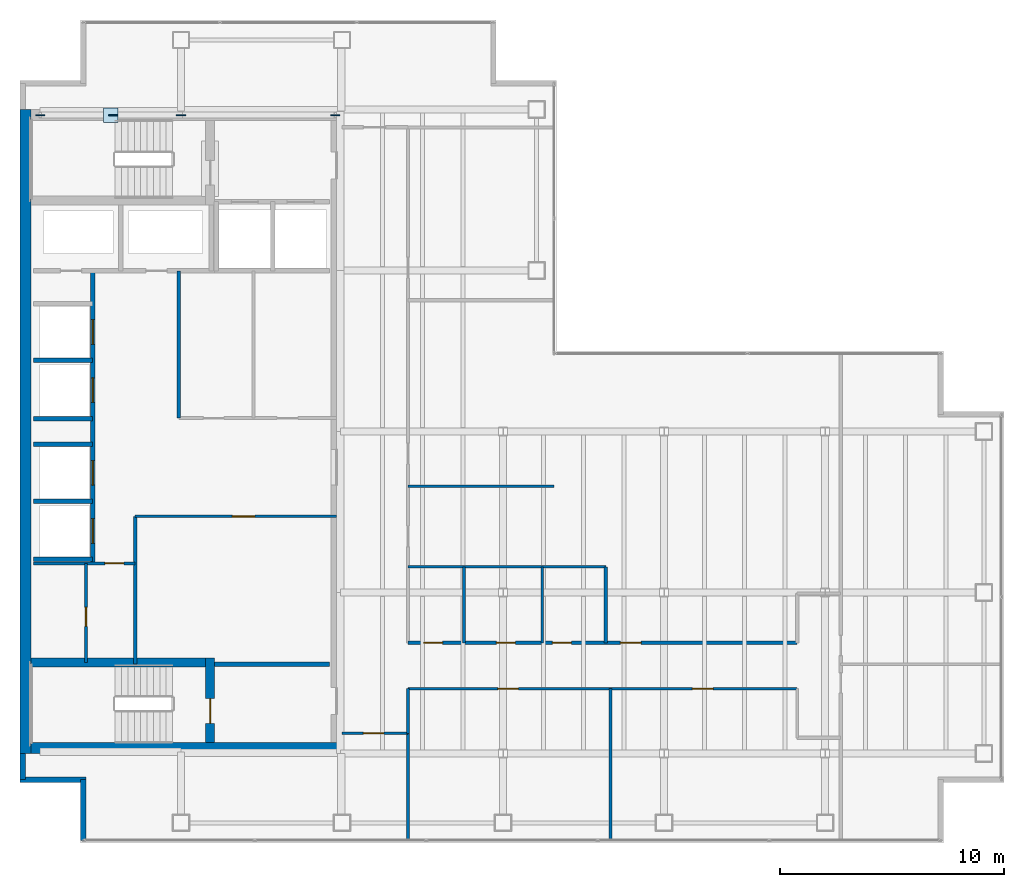
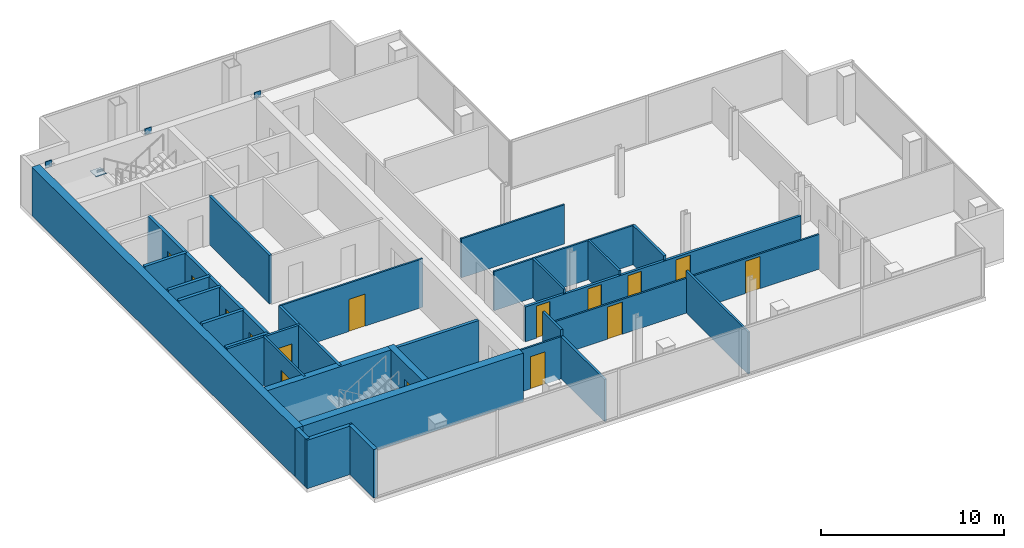
# One storey, part 20 of 23: 30 walls, 15 doors, 5 plates, 15 openings.
"""IFC4 building model written with IfcOpenShell, lengths in metres."""

from ifc_helpers import new_model, si_unit, direction, frame, frame_2d, origin, origin_2d, place, context, subcontext, project, spatial, rectangle, extrude, material, layer, layer_set, type_object, element, fill, save


model = new_model("IFC4")

# Units and contexts
model_context = context("Model", 3, precision=1e-05, world=origin(), true_north=direction((0.0, 1.0)))
body_context = subcontext(model_context, "Body", "Model", "MODEL_VIEW")
ifc_project = project(units=[si_unit("LENGTHUNIT", "METRE"), si_unit("AREAUNIT", "SQUARE_METRE"), si_unit("VOLUMEUNIT", "CUBIC_METRE"), si_unit("PLANEANGLEUNIT", "RADIAN"), si_unit("MASSUNIT", "GRAM", prefix="KILO")], contexts=[model_context])

# Site, building, storey
site_placement = place(None, origin())
site = spatial("IfcSite", under=ifc_project, at=site_placement, CompositionType="ELEMENT")
building_placement = place(site_placement, origin())
building = spatial("IfcBuilding", under=site, at=building_placement, Name="Cobrela Telecom Tower", CompositionType="ELEMENT")
storey_placement = place(building_placement, frame((0.0, 0.0, 229.25)))
storey = spatial("IfcBuildingStorey", under=building, at=storey_placement, Name="L59", CompositionType="ELEMENT", Elevation=229.25)

# Plates
ifc_material_1 = material(Name="Steel ASTM A572 Grade 50", Category="steel")
ifc_layer_1 = layer(ifc_material_1, 0.0419921875)
ifc_layer_set_1 = layer_set([ifc_layer_1], Name="Steel ASTM A572 Grade 50")
plate_type = type_object("IfcPlateType", Name="PLT-NODE-ND1", PredefinedType="USERDEFINED", material=ifc_layer_set_1)
for number, where, z_axis, x_axis, name in (
    (1, (7.199951171875, 35.75, 3.0751953125), (0.0, 0.0, 1.0), (1.0, 0.0, 0.0), "Steel node plate PLT-MBR-EXO-L59-N1-A-1"),
    (2, (4.173828125, 35.75, 1.349609375), (0.0, 0.0, 1.0), (-1.0, 0.0, 0.0), "Steel node plate PLT-MBR-EXO-L59-N1-B1-1"),
    (3, (0.89990234375, 35.75, 3.0751953125), (0.0, 0.0, 1.0), (-1.0, 0.0, 0.0), "Steel node plate PLT-MBR-EXO-L59-N1-B2-1"),
):
    element("IfcPlate", number, at=place(storey_placement, frame(where, z_axis=z_axis, x_axis=x_axis)), inside=storey, type_object=plate_type, Name=name, ObjectType="GUSSET PLATE", PredefinedType="USERDEFINED", context=body_context, shape_type="SweptSolid", body=[
        extrude(rectangle(XDim=0.409912109375, YDim=0.044921875, at=origin_2d()), origin(), (0.0, 0.0, 1.0), 0.409912109375),
    ])
plate_1_placement = place(storey_placement, frame((4.050048828125, 35.75, 1.59765625), z_axis=(0.0, 0.0, 1.0), x_axis=(1.0, 0.0, 0.0)))
element("IfcPlate", 4, at=plate_1_placement, inside=storey, type_object=plate_type, Name="L59 Core Flange Steel X-Brace Central X-Crossing Gusset Plate", ObjectType="GUSSET PLATE", PredefinedType="USERDEFINED", context=body_context, shape_type="SweptSolid", body=[
    extrude(rectangle(XDim=0.64990234375, YDim=0.64990234375, at=origin_2d()), origin(), (0.0, 0.0, 1.0), 0.044921875),
])
plate_2_placement = place(storey_placement, frame((14.10009765625, 35.75, 3.0751953125), z_axis=(0.0, 0.0, 1.0), x_axis=(1.0, 0.0, 0.0)))
element("IfcPlate", 5, at=plate_2_placement, inside=storey, type_object=plate_type, Name="Steel node plate PLT-MBR-EXO-L59-N2-1", ObjectType="GUSSET PLATE", PredefinedType="USERDEFINED", context=body_context, shape_type="SweptSolid", body=[
    extrude(rectangle(XDim=0.409912109375, YDim=0.044921875, at=origin_2d()), origin(), (0.0, 0.0, 1.0), 0.409912109375),
])

# Walls
ifc_material_2 = material(Name="Concrete C40/50", Category="concrete")
ifc_layer_2 = layer(ifc_material_2, 0.5)
ifc_layer_set_2 = layer_set([ifc_layer_2], Name="Concrete C40/50")
wall_type_1 = type_object("IfcWallType", Name="WALL-CORE-C40-500", PredefinedType="SHEAR", material=ifc_layer_set_2)
wall_1_placement = place(storey_placement, frame((0.25, 7.199951171875, 0.0), z_axis=(0.0, 0.0, 1.0), x_axis=(0.0, 1.0, 0.0)))
element("IfcWall", 6, at=wall_1_placement, inside=storey, type_object=wall_type_1, Name="L59 West Core Shear Wall", PredefinedType="SHEAR", context=body_context, shape_type="SweptSolid", body=[
    extrude(rectangle(XDim=28.800048828125, YDim=0.5, at=frame_2d((14.39990234375, 0.0))), origin(), (0.0, 0.0, 1.0), 3.239990234375),
])
wall_2_placement = place(storey_placement, frame((0.5, 7.449951171875, 0.0), z_axis=(0.0, 0.0, 1.0), x_axis=(1.0, 0.0, 0.0)))
element("IfcWall", 7, at=wall_2_placement, inside=storey, type_object=wall_type_1, Name="L59 South Core Shear Wall", PredefinedType="SHEAR", context=body_context, shape_type="SweptSolid", body=[
    extrude(rectangle(XDim=13.89990234375, YDim=0.5, at=frame_2d((6.949951171875, 0.0))), origin(), (0.0, 0.0, 1.0), 3.239990234375),
])
ifc_layer_3 = layer(ifc_material_2, 0.239990234375)
ifc_layer_set_3 = layer_set([ifc_layer_3], Name="Concrete C40/50")
wall_type_2 = type_object("IfcWallType", Name="WALL-EXT-300", PredefinedType="STANDARD", material=ifc_layer_set_3)
wall_3_placement = place(storey_placement, frame((2.830078125, 3.320068359375, 0.0), z_axis=(0.0, 0.0, 1.0), x_axis=(0.0, 1.0, 0.0)))
element("IfcWall", 8, at=wall_3_placement, inside=storey, type_object=wall_type_2, Name="L59 Insulated Facade Wall 01", PredefinedType="STANDARD", context=body_context, shape_type="SweptSolid", body=[
    extrude(rectangle(XDim=2.7099609375, YDim=0.239990234375, at=frame_2d((1.35498046875, 0.0))), origin(), (0.0, 0.0, 1.0), 3.239990234375),
])
wall_4_placement = place(storey_placement, frame((2.949951171875, 6.030029296875, 0.0), z_axis=(0.0, 0.0, 1.0), x_axis=(-1.0, 0.0, 0.0)))
element("IfcWall", 9, at=wall_4_placement, inside=storey, type_object=wall_type_2, Name="L59 Insulated Facade Wall 02", PredefinedType="STANDARD", context=body_context, shape_type="SweptSolid", body=[
    extrude(rectangle(XDim=2.949951171875, YDim=0.239990234375, at=frame_2d((1.47509765625, 0.0))), origin(), (0.0, 0.0, 1.0), 3.239990234375),
])
wall_5_placement = place(storey_placement, frame((0.1201171875, 6.030029296875, 0.0), z_axis=(0.0, 0.0, 1.0), x_axis=(0.0, 1.0, 0.0)))
element("IfcWall", 10, at=wall_5_placement, inside=storey, type_object=wall_type_2, Name="L59 Insulated Facade Wall 03", PredefinedType="STANDARD", context=body_context, shape_type="SweptSolid", body=[
    extrude(rectangle(XDim=1.169921875, YDim=0.239990234375, at=frame_2d((0.5849609375, 0.0))), origin(), (0.0, 0.0, 1.0), 3.239990234375),
])

# Wall, opening, door
ifc_material_3 = material(Name="Fire-Rated Gypsum Plasterboard")
ifc_layer_4 = layer(ifc_material_3, 0.110107421875)
ifc_layer_set_4 = layer_set([ifc_layer_4], Name="Fire-Rated Gypsum Plasterboard")
wall_type_3 = type_object("IfcWallType", Name="WALL-PART-110", PredefinedType="PARTITIONING", material=ifc_layer_set_4)
wall_6_placement = place(storey_placement, frame((5.14990234375, 17.800048828125, 0.0), z_axis=(0.0, 0.0, 1.0), x_axis=(1.0, 0.0, 0.0)))
wall_6 = element("IfcWall", 11, at=wall_6_placement, inside=storey, type_object=wall_type_3, Name="L59 Interior Partition CW-RECM-N", PredefinedType="PARTITIONING", context=body_context, shape_type="SweptSolid", body=[
    extrude(rectangle(XDim=9.0, YDim=0.110107421875, at=frame_2d((4.5, 0.0))), origin(), (0.0, 0.0, 1.0), 3.239990234375),
])
opening_1_placement = place(wall_6_placement, frame((4.35009765625, 0.0, 0.0)))
opening_1 = element("IfcOpeningElement", 12, at=opening_1_placement, cuts=wall_6, Name="Opening DR-31", PredefinedType="OPENING", context=body_context, shape_type="SweptSolid", body=[
    extrude(rectangle(XDim=1.0, YDim=2.14990234375, at=frame_2d((0.5, 1.074951171875))), frame((0.0, 0.06689453125, 0.0), z_axis=(0.0, -1.0, 0.0), x_axis=(1.0, 0.0, 0.0)), (0.0, 0.0, 1.0), 0.134033203125),
])
ifc_material_4 = material(Name="Solid Engineered Oak Timber", Category="wood")
door_type_1 = type_object("IfcDoorType", Name="DOOR-INT-1000", OperationType="SINGLE_SWING_LEFT", PredefinedType="DOOR", material=ifc_material_4)
door_1_placement = place(opening_1_placement, origin())
door_1 = element("IfcDoor", 13, at=door_1_placement, inside=storey, type_object=door_type_1, Name="L59 Door DR-31", OperationType="SINGLE_SWING_LEFT", OverallHeight=2.14990234375, OverallWidth=1.0, PredefinedType="DOOR", context=body_context, shape_type="SweptSolid", body=[
    extrude(rectangle(XDim=1.0, YDim=2.14990234375, at=frame_2d((0.5, 1.074951171875))), frame((0.0, 0.02490234375, 0.0), z_axis=(0.0, -1.0, 0.0), x_axis=(1.0, 0.0, 0.0)), (0.0, 0.0, 1.0), 0.050048828125),
])
fill(opening_1, door_1)

wall_7_placement = place(storey_placement, frame((14.39990234375, 8.10009765625, 0.0), z_axis=(0.0, 0.0, 1.0), x_axis=(1.0, 0.0, 0.0)))
wall_7 = element("IfcWall", 14, at=wall_7_placement, inside=storey, type_object=wall_type_3, Name="L59 Interior Partition W-C-S0", PredefinedType="PARTITIONING", context=body_context, shape_type="SweptSolid", body=[
    extrude(rectangle(XDim=2.9501953125, YDim=0.110107421875, at=frame_2d((1.47509765625, 0.0))), origin(), (0.0, 0.0, 1.0), 2.80810546875),
])
opening_2_placement = place(wall_7_placement, frame((0.949951171875, 0.0, 0.0)))
opening_2 = element("IfcOpeningElement", 15, at=opening_2_placement, cuts=wall_7, Name="Opening DR-45", PredefinedType="OPENING", context=body_context, shape_type="SweptSolid", body=[
    extrude(rectangle(XDim=0.919921875, YDim=2.14990234375, at=frame_2d((0.4599609375, 1.074951171875))), frame((0.0, 0.06689453125, 0.0), z_axis=(0.0, -1.0, 0.0), x_axis=(1.0, 0.0, 0.0)), (0.0, 0.0, 1.0), 0.134033203125),
])
door_type_2 = type_object("IfcDoorType", Name="DOOR-INT-920", OperationType="SINGLE_SWING_LEFT", PredefinedType="DOOR", material=ifc_material_4)
door_2_placement = place(opening_2_placement, origin())
door_2 = element("IfcDoor", 16, at=door_2_placement, inside=storey, type_object=door_type_2, Name="L59 Door DR-45", OperationType="SINGLE_SWING_RIGHT", OverallHeight=2.14990234375, OverallWidth=0.919921875, PredefinedType="DOOR", context=body_context, shape_type="SweptSolid", body=[
    extrude(rectangle(XDim=0.919921875, YDim=2.14990234375, at=frame_2d((0.4599609375, 1.074951171875))), frame((0.0, 0.02490234375, 0.0), z_axis=(0.0, -1.0, 0.0), x_axis=(1.0, 0.0, 0.0)), (0.0, 0.0, 1.0), 0.050048828125),
])
fill(opening_2, door_2)

# Wall, openings, doors
wall_8_placement = place(storey_placement, frame((17.35009765625, 10.10009765625, 0.0), z_axis=(0.0, 0.0, 1.0), x_axis=(1.0, 0.0, 0.0)))
wall_8 = element("IfcWall", 17, at=wall_8_placement, inside=storey, type_object=wall_type_3, Name="L59 Interior Partition W-C-HS", PredefinedType="PARTITIONING", context=body_context, shape_type="SweptSolid", body=[
    extrude(rectangle(XDim=17.39990234375, YDim=0.110107421875, at=frame_2d((8.699951171875, 0.0))), origin(), (0.0, 0.0, 1.0), 2.324951171875),
])
opening_3_placement = place(wall_8_placement, frame((4.02001953125, 0.0, 0.0)))
opening_3 = element("IfcOpeningElement", 18, at=opening_3_placement, cuts=wall_8, Name="Opening DR-45", PredefinedType="OPENING", context=body_context, shape_type="SweptSolid", body=[
    extrude(rectangle(XDim=0.919921875, YDim=2.14990234375, at=frame_2d((0.4599609375, 1.074951171875))), frame((0.0, 0.06689453125, 0.0), z_axis=(0.0, -1.0, 0.0), x_axis=(1.0, 0.0, 0.0)), (0.0, 0.0, 1.0), 0.134033203125),
])
opening_4_placement = place(wall_8_placement, frame((12.719970703125, 0.0, 0.0)))
opening_4 = element("IfcOpeningElement", 19, at=opening_4_placement, cuts=wall_8, Name="Opening DR-45", PredefinedType="OPENING", context=body_context, shape_type="SweptSolid", body=[
    extrude(rectangle(XDim=0.919921875, YDim=2.14990234375, at=frame_2d((0.4599609375, 1.074951171875))), frame((0.0, 0.06689453125, 0.0), z_axis=(0.0, -1.0, 0.0), x_axis=(1.0, 0.0, 0.0)), (0.0, 0.0, 1.0), 0.134033203125),
])
door_3_placement = place(opening_3_placement, origin())
door_3 = element("IfcDoor", 20, at=door_3_placement, inside=storey, type_object=door_type_2, Name="L59 Door DR-45", OperationType="SINGLE_SWING_LEFT", OverallHeight=2.14990234375, OverallWidth=0.919921875, PredefinedType="DOOR", context=body_context, shape_type="SweptSolid", body=[
    extrude(rectangle(XDim=0.919921875, YDim=2.14990234375, at=frame_2d((0.4599609375, 1.074951171875))), frame((0.0, 0.02490234375, 0.0), z_axis=(0.0, -1.0, 0.0), x_axis=(1.0, 0.0, 0.0)), (0.0, 0.0, 1.0), 0.050048828125),
])
fill(opening_3, door_3)
door_4_placement = place(opening_4_placement, origin())
door_4 = element("IfcDoor", 21, at=door_4_placement, inside=storey, type_object=door_type_2, Name="L59 Door DR-45", OperationType="SINGLE_SWING_RIGHT", OverallHeight=2.14990234375, OverallWidth=0.919921875, PredefinedType="DOOR", context=body_context, shape_type="SweptSolid", body=[
    extrude(rectangle(XDim=0.919921875, YDim=2.14990234375, at=frame_2d((0.4599609375, 1.074951171875))), frame((0.0, 0.02490234375, 0.0), z_axis=(0.0, -1.0, 0.0), x_axis=(1.0, 0.0, 0.0)), (0.0, 0.0, 1.0), 0.050048828125),
])
fill(opening_4, door_4)

# Walls
wall_9_placement = place(storey_placement, frame((17.35009765625, 15.550048828125, 0.0), z_axis=(0.0, 0.0, 1.0), x_axis=(1.0, 0.0, 0.0)))
element("IfcWall", 22, at=wall_9_placement, inside=storey, type_object=wall_type_3, Name="L59 Interior Partition W-WC-N", PredefinedType="PARTITIONING", context=body_context, shape_type="SweptSolid", body=[
    extrude(rectangle(XDim=8.849853515625, YDim=0.110107421875, at=frame_2d((4.4248046875, 0.0))), origin(), (0.0, 0.0, 1.0), 2.613037109375),
])
wall_10_placement = place(storey_placement, frame((17.35009765625, 19.14990234375, 0.0), z_axis=(0.0, 0.0, 1.0), x_axis=(1.0, 0.0, 0.0)))
element("IfcWall", 23, at=wall_10_placement, inside=storey, type_object=wall_type_3, Name="L59 Interior Partition W-NPAN-T", PredefinedType="PARTITIONING", context=body_context, shape_type="SweptSolid", body=[
    extrude(rectangle(XDim=6.52978515625, YDim=0.110107421875, at=frame_2d((3.264892578125, 0.0))), origin(), (0.0, 0.0, 1.0), 2.613037109375),
])

# Wall, opening, door
ifc_layer_5 = layer(ifc_material_3, 0.125)
ifc_layer_set_5 = layer_set([ifc_layer_5], Name="Fire-Rated Gypsum Plasterboard")
wall_type_4 = type_object("IfcWallType", Name="WALL-PART-125", PredefinedType="PARTITIONING", material=ifc_layer_set_5)
wall_11_placement = place(storey_placement, frame((2.949951171875, 11.280029296875, 0.0), z_axis=(0.0, 0.0, 1.0), x_axis=(0.0, 1.0, 0.0)))
wall_11 = element("IfcWall", 24, at=wall_11_placement, inside=storey, type_object=wall_type_4, Name="L59 Interior Partition CW-FK1-V", PredefinedType="PARTITIONING", context=body_context, shape_type="SweptSolid", body=[
    extrude(rectangle(XDim=4.419921875, YDim=0.125, at=frame_2d((2.2099609375, 0.0))), origin(), (0.0, 0.0, 1.0), 3.239990234375),
])
opening_5_placement = place(wall_11_placement, frame((1.60009765625, 0.0, 0.0)))
opening_5 = element("IfcOpeningElement", 25, at=opening_5_placement, cuts=wall_11, Name="Opening DR-11", PredefinedType="OPENING", context=body_context, shape_type="SweptSolid", body=[
    extrude(rectangle(XDim=0.85009765625, YDim=2.14990234375, at=frame_2d((0.425048828125, 1.074951171875))), frame((0.0, 0.074462890625, 0.0), z_axis=(0.0, -1.0, 0.0), x_axis=(1.0, 0.0, 0.0)), (0.0, 0.0, 1.0), 0.14892578125),
])
door_type_3 = type_object("IfcDoorType", Name="DOOR-INT-850", OperationType="SINGLE_SWING_LEFT", PredefinedType="DOOR", material=ifc_material_4)
door_5_placement = place(opening_5_placement, origin())
door_5 = element("IfcDoor", 26, at=door_5_placement, inside=storey, type_object=door_type_3, Name="L59 Door DR-11", OperationType="SINGLE_SWING_RIGHT", OverallHeight=2.14990234375, OverallWidth=0.85009765625, PredefinedType="DOOR", context=body_context, shape_type="SweptSolid", body=[
    extrude(rectangle(XDim=0.85009765625, YDim=2.14990234375, at=frame_2d((0.425048828125, 1.074951171875))), frame((0.0, 0.02490234375, 0.0), z_axis=(0.0, -1.0, 0.0), x_axis=(1.0, 0.0, 0.0)), (0.0, 0.0, 1.0), 0.050048828125),
])
fill(opening_5, door_5)

# Walls
for number, where, z_axis, x_axis, name in (
    (27, (19.85009765625, 12.14990234375, 0.0), (0.0, 0.0, 1.0), (0.0, 1.0, 0.0), "L59 Interior Partition W-WCV-1"),
    (28, (23.35009765625, 12.14990234375, 0.0), (0.0, 0.0, 1.0), (0.0, 1.0, 0.0), "L59 Interior Partition W-WCV-2"),
):
    element("IfcWall", number, at=place(storey_placement, frame(where, z_axis=z_axis, x_axis=x_axis)), inside=storey, type_object=wall_type_4, Name=name, PredefinedType="PARTITIONING", context=body_context, shape_type="SweptSolid", body=[
        extrude(rectangle(XDim=3.400146484375, YDim=0.125, at=frame_2d((1.7001953125, 0.0))), origin(), (0.0, 0.0, 1.0), 2.613037109375),
    ])
ifc_layer_6 = layer(ifc_material_3, 0.135009765625)
ifc_layer_set_6 = layer_set([ifc_layer_6], Name="Fire-Rated Gypsum Plasterboard")
wall_type_5 = type_object("IfcWallType", Name="WALL-PART-135", PredefinedType="PARTITIONING", material=ifc_layer_set_6)
wall_12_placement = place(storey_placement, frame((26.39990234375, 3.320068359375, 0.0), z_axis=(0.0, 0.0, 1.0), x_axis=(0.0, 1.0, 0.0)))
element("IfcWall", 29, at=wall_12_placement, inside=storey, type_object=wall_type_5, Name="L59 Interior Partition W-SV-1", PredefinedType="PARTITIONING", context=body_context, shape_type="SweptSolid", body=[
    extrude(rectangle(XDim=6.780029296875, YDim=0.135009765625, at=frame_2d((3.39013671875, 0.0))), origin(), (0.0, 0.0, 1.0), 2.80810546875),
])

# Wall, opening, door
ifc_layer_7 = layer(ifc_material_3, 0.14990234375)
ifc_layer_set_7 = layer_set([ifc_layer_7], Name="Fire-Rated Gypsum Plasterboard")
wall_type_6 = type_object("IfcWallType", Name="WALL-PART-150", PredefinedType="PARTITIONING", material=ifc_layer_set_7)
wall_13_placement = place(storey_placement, frame((0.60009765625, 15.699951171875, 0.0), z_axis=(0.0, 0.0, 1.0), x_axis=(1.0, 0.0, 0.0)))
wall_13 = element("IfcWall", 30, at=wall_13_placement, inside=storey, type_object=wall_type_6, Name="L59 Interior Partition CW-FLEX-N", PredefinedType="PARTITIONING", context=body_context, shape_type="SweptSolid", body=[
    extrude(rectangle(XDim=4.5498046875, YDim=0.14990234375, at=frame_2d((2.27490234375, 0.0))), origin(), (0.0, 0.0, 1.0), 3.239990234375),
])
opening_6_placement = place(wall_13_placement, frame((3.199951171875, 0.0, 0.0)))
opening_6 = element("IfcOpeningElement", 31, at=opening_6_placement, cuts=wall_13, Name="Opening DR-11", PredefinedType="OPENING", context=body_context, shape_type="SweptSolid", body=[
    extrude(rectangle(XDim=0.85009765625, YDim=2.14990234375, at=frame_2d((0.425048828125, 1.074951171875))), frame((0.0, 0.0869140625, 0.0), z_axis=(0.0, -1.0, 0.0), x_axis=(1.0, 0.0, 0.0)), (0.0, 0.0, 1.0), 0.173828125),
])
door_6_placement = place(opening_6_placement, origin())
door_6 = element("IfcDoor", 32, at=door_6_placement, inside=storey, type_object=door_type_3, Name="L59 Door DR-11", OperationType="SINGLE_SWING_LEFT", OverallHeight=2.14990234375, OverallWidth=0.85009765625, PredefinedType="DOOR", context=body_context, shape_type="SweptSolid", body=[
    extrude(rectangle(XDim=0.85009765625, YDim=2.14990234375, at=frame_2d((0.425048828125, 1.074951171875))), frame((0.0, 0.02490234375, 0.0), z_axis=(0.0, -1.0, 0.0), x_axis=(1.0, 0.0, 0.0)), (0.0, 0.0, 1.0), 0.050048828125),
])
fill(opening_6, door_6)

# Walls
wall_14_placement = place(storey_placement, frame((17.35009765625, 8.10009765625, 0.0), z_axis=(0.0, 0.0, 1.0), x_axis=(0.0, 1.0, 0.0)))
element("IfcWall", 33, at=wall_14_placement, inside=storey, type_object=wall_type_6, Name="L59 Interior Partition W-C-E1", PredefinedType="PARTITIONING", context=body_context, shape_type="SweptSolid", body=[
    extrude(rectangle(XDim=2.0, YDim=0.14990234375, at=frame_2d((1.0, 0.0))), origin(), (0.0, 0.0, 1.0), 3.239990234375),
])
wall_15_placement = place(storey_placement, frame((17.35009765625, 3.320068359375, 0.0), z_axis=(0.0, 0.0, 1.0), x_axis=(0.0, 1.0, 0.0)))
element("IfcWall", 34, at=wall_15_placement, inside=storey, type_object=wall_type_6, Name="L59 Interior Partition W-SW-E", PredefinedType="PARTITIONING", context=body_context, shape_type="SweptSolid", body=[
    extrude(rectangle(XDim=4.780029296875, YDim=0.14990234375, at=frame_2d((2.39013671875, 0.0))), origin(), (0.0, 0.0, 1.0), 2.80810546875),
])
ifc_layer_8 = layer(ifc_material_3, 0.159912109375)
ifc_layer_set_8 = layer_set([ifc_layer_8], Name="Fire-Rated Gypsum Plasterboard")
wall_type_7 = type_object("IfcWallType", Name="WALL-PART-160", PredefinedType="PARTITIONING", material=ifc_layer_set_8)
wall_16_placement = place(storey_placement, frame((7.10009765625, 22.199951171875, 0.0), z_axis=(0.0, 0.0, 1.0), x_axis=(0.0, 1.0, 0.0)))
element("IfcWall", 35, at=wall_16_placement, inside=storey, type_object=wall_type_7, Name="L59 Interior Partition CW-RECL-W", PredefinedType="PARTITIONING", context=body_context, shape_type="SweptSolid", body=[
    extrude(rectangle(XDim=6.580078125, YDim=0.159912109375, at=frame_2d((3.2900390625, 0.0))), origin(), (0.0, 0.0, 1.0), 3.239990234375),
])
wall_17_placement = place(storey_placement, frame((5.14990234375, 11.199951171875, 0.0), z_axis=(0.0, 0.0, 1.0), x_axis=(0.0, 1.0, 0.0)))
element("IfcWall", 36, at=wall_17_placement, inside=storey, type_object=wall_type_7, Name="L59 Interior Partition CW-RECM-W", PredefinedType="PARTITIONING", context=body_context, shape_type="SweptSolid", body=[
    extrude(rectangle(XDim=6.60009765625, YDim=0.159912109375, at=frame_2d((3.300048828125, 0.0))), origin(), (0.0, 0.0, 1.0), 3.239990234375),
])

# Wall, openings, doors
wall_18_placement = place(storey_placement, frame((17.35009765625, 12.14990234375, 0.0), z_axis=(0.0, 0.0, 1.0), x_axis=(1.0, 0.0, 0.0)))
wall_18 = element("IfcWall", 37, at=wall_18_placement, inside=storey, type_object=wall_type_7, Name="L59 Interior Partition W-C-HN", PredefinedType="PARTITIONING", context=body_context, shape_type="SweptSolid", body=[
    extrude(rectangle(XDim=17.39990234375, YDim=0.159912109375, at=frame_2d((8.699951171875, 0.0))), origin(), (0.0, 0.0, 1.0), 2.324951171875),
])
opening_7_placement = place(wall_18_placement, frame((0.699951171875, 0.0, 0.0)))
opening_7 = element("IfcOpeningElement", 38, at=opening_7_placement, cuts=wall_18, Name="Opening DR-11", PredefinedType="OPENING", context=body_context, shape_type="SweptSolid", body=[
    extrude(rectangle(XDim=0.85009765625, YDim=2.14990234375, at=frame_2d((0.425048828125, 1.074951171875))), frame((0.0, 0.091796875, 0.0), z_axis=(0.0, -1.0, 0.0), x_axis=(1.0, 0.0, 0.0)), (0.0, 0.0, 1.0), 0.183837890625),
])
opening_8_placement = place(wall_18_placement, frame((3.949951171875, 0.0, 0.0)))
opening_8 = element("IfcOpeningElement", 39, at=opening_8_placement, cuts=wall_18, Name="Opening DR-11", PredefinedType="OPENING", context=body_context, shape_type="SweptSolid", body=[
    extrude(rectangle(XDim=0.85009765625, YDim=2.14990234375, at=frame_2d((0.425048828125, 1.074951171875))), frame((0.0, 0.091796875, 0.0), z_axis=(0.0, -1.0, 0.0), x_axis=(1.0, 0.0, 0.0)), (0.0, 0.0, 1.0), 0.183837890625),
])
opening_9_placement = place(wall_18_placement, frame((6.4599609375, 0.0, 0.0)))
opening_9 = element("IfcOpeningElement", 40, at=opening_9_placement, cuts=wall_18, Name="Opening DR-11", PredefinedType="OPENING", context=body_context, shape_type="SweptSolid", body=[
    extrude(rectangle(XDim=0.85009765625, YDim=2.14990234375, at=frame_2d((0.425048828125, 1.074951171875))), frame((0.0, 0.091796875, 0.0), z_axis=(0.0, -1.0, 0.0), x_axis=(1.0, 0.0, 0.0)), (0.0, 0.0, 1.0), 0.183837890625),
])
opening_10_placement = place(wall_18_placement, frame((9.5, 0.0, 0.0)))
opening_10 = element("IfcOpeningElement", 41, at=opening_10_placement, cuts=wall_18, Name="Opening DR-45", PredefinedType="OPENING", context=body_context, shape_type="SweptSolid", body=[
    extrude(rectangle(XDim=0.919921875, YDim=2.14990234375, at=frame_2d((0.4599609375, 1.074951171875))), frame((0.0, 0.091796875, 0.0), z_axis=(0.0, -1.0, 0.0), x_axis=(1.0, 0.0, 0.0)), (0.0, 0.0, 1.0), 0.183837890625),
])
door_7_placement = place(opening_7_placement, origin())
door_7 = element("IfcDoor", 42, at=door_7_placement, inside=storey, type_object=door_type_3, Name="L59 Door DR-11", OperationType="SINGLE_SWING_LEFT", OverallHeight=2.14990234375, OverallWidth=0.85009765625, PredefinedType="DOOR", context=body_context, shape_type="SweptSolid", body=[
    extrude(rectangle(XDim=0.85009765625, YDim=2.14990234375, at=frame_2d((0.425048828125, 1.074951171875))), frame((0.0, 0.02490234375, 0.0), z_axis=(0.0, -1.0, 0.0), x_axis=(1.0, 0.0, 0.0)), (0.0, 0.0, 1.0), 0.050048828125),
])
fill(opening_7, door_7)
door_8_placement = place(opening_8_placement, origin())
door_8 = element("IfcDoor", 43, at=door_8_placement, inside=storey, type_object=door_type_3, Name="L59 Door DR-11", OperationType="SINGLE_SWING_RIGHT", OverallHeight=2.14990234375, OverallWidth=0.85009765625, PredefinedType="DOOR", context=body_context, shape_type="SweptSolid", body=[
    extrude(rectangle(XDim=0.85009765625, YDim=2.14990234375, at=frame_2d((0.425048828125, 1.074951171875))), frame((0.0, 0.02490234375, 0.0), z_axis=(0.0, -1.0, 0.0), x_axis=(1.0, 0.0, 0.0)), (0.0, 0.0, 1.0), 0.050048828125),
])
fill(opening_8, door_8)
door_9_placement = place(opening_9_placement, origin())
door_9 = element("IfcDoor", 44, at=door_9_placement, inside=storey, type_object=door_type_3, Name="L59 Door DR-11", OperationType="SINGLE_SWING_LEFT", OverallHeight=2.14990234375, OverallWidth=0.85009765625, PredefinedType="DOOR", context=body_context, shape_type="SweptSolid", body=[
    extrude(rectangle(XDim=0.85009765625, YDim=2.14990234375, at=frame_2d((0.425048828125, 1.074951171875))), frame((0.0, 0.02490234375, 0.0), z_axis=(0.0, -1.0, 0.0), x_axis=(1.0, 0.0, 0.0)), (0.0, 0.0, 1.0), 0.050048828125),
])
fill(opening_9, door_9)
door_10_placement = place(opening_10_placement, origin())
door_10 = element("IfcDoor", 45, at=door_10_placement, inside=storey, type_object=door_type_2, Name="L59 Door DR-45", OperationType="SINGLE_SWING_RIGHT", OverallHeight=2.14990234375, OverallWidth=0.919921875, PredefinedType="DOOR", context=body_context, shape_type="SweptSolid", body=[
    extrude(rectangle(XDim=0.919921875, YDim=2.14990234375, at=frame_2d((0.4599609375, 1.074951171875))), frame((0.0, 0.02490234375, 0.0), z_axis=(0.0, -1.0, 0.0), x_axis=(1.0, 0.0, 0.0)), (0.0, 0.0, 1.0), 0.050048828125),
])
fill(opening_10, door_10)

# Walls
wall_19_placement = place(storey_placement, frame((26.199951171875, 12.14990234375, 0.0), z_axis=(0.0, 0.0, 1.0), x_axis=(0.0, 1.0, 0.0)))
element("IfcWall", 46, at=wall_19_placement, inside=storey, type_object=wall_type_7, Name="L59 Interior Partition W-WC-R", PredefinedType="PARTITIONING", context=body_context, shape_type="SweptSolid", body=[
    extrude(rectangle(XDim=3.400146484375, YDim=0.159912109375, at=frame_2d((1.7001953125, 0.0))), origin(), (0.0, 0.0, 1.0), 2.613037109375),
])
ifc_layer_9 = layer(ifc_material_3, 0.199951171875)
ifc_layer_set_9 = layer_set([ifc_layer_9], Name="Fire-Rated Gypsum Plasterboard")
wall_type_8 = type_object("IfcWallType", Name="WALL-SHAFT-200", PredefinedType="PARTITIONING", material=ifc_layer_set_9)
wall_20_placement = place(storey_placement, frame((8.699951171875, 11.199951171875, 0.0), z_axis=(0.0, 0.0, 1.0), x_axis=(1.0, 0.0, 0.0)))
element("IfcWall", 47, at=wall_20_placement, inside=storey, type_object=wall_type_8, Name="L59 Shaft Enclosure CW-ST2L-N", PredefinedType="PARTITIONING", context=body_context, shape_type="SweptSolid", body=[
    extrude(rectangle(XDim=5.150146484375, YDim=0.199951171875, at=frame_2d((2.5751953125, 0.0))), origin(), (0.0, 0.0, 1.0), 3.239990234375),
])

# Wall, openings, doors
wall_21_placement = place(storey_placement, frame((3.25, 15.699951171875, 0.0), z_axis=(0.0, 0.0, 1.0), x_axis=(0.0, 1.0, 0.0)))
wall_21 = element("IfcWall", 48, at=wall_21_placement, inside=storey, type_object=wall_type_8, Name="L59 Shaft Enclosure CW-PLH-E", PredefinedType="PARTITIONING", context=body_context, shape_type="SweptSolid", body=[
    extrude(rectangle(XDim=13.080078125, YDim=0.199951171875, at=frame_2d((6.5400390625, 0.0))), origin(), (0.0, 0.0, 1.0), 3.239990234375),
])
opening_11_placement = place(wall_21_placement, frame((0.89990234375, 0.0, 0.0)))
opening_11 = element("IfcOpeningElement", 49, at=opening_11_placement, cuts=wall_21, Name="Opening LD-1", PredefinedType="OPENING", context=body_context, shape_type="SweptSolid", body=[
    extrude(rectangle(XDim=1.10009765625, YDim=2.199951171875, at=frame_2d((0.550048828125, 1.10009765625))), frame((0.0, 0.11181640625, 0.0), z_axis=(0.0, -1.0, 0.0), x_axis=(1.0, 0.0, 0.0)), (0.0, 0.0, 1.0), 0.223876953125),
])
opening_12_placement = place(wall_21_placement, frame((3.5, 0.0, 0.0)))
opening_12 = element("IfcOpeningElement", 50, at=opening_12_placement, cuts=wall_21, Name="Opening LD-1", PredefinedType="OPENING", context=body_context, shape_type="SweptSolid", body=[
    extrude(rectangle(XDim=1.10009765625, YDim=2.199951171875, at=frame_2d((0.550048828125, 1.10009765625))), frame((0.0, 0.11181640625, 0.0), z_axis=(0.0, -1.0, 0.0), x_axis=(1.0, 0.0, 0.0)), (0.0, 0.0, 1.0), 0.223876953125),
])
opening_13_placement = place(wall_21_placement, frame((7.199951171875, 0.0, 0.0)))
opening_13 = element("IfcOpeningElement", 51, at=opening_13_placement, cuts=wall_21, Name="Opening LD-1", PredefinedType="OPENING", context=body_context, shape_type="SweptSolid", body=[
    extrude(rectangle(XDim=1.10009765625, YDim=2.199951171875, at=frame_2d((0.550048828125, 1.10009765625))), frame((0.0, 0.11181640625, 0.0), z_axis=(0.0, -1.0, 0.0), x_axis=(1.0, 0.0, 0.0)), (0.0, 0.0, 1.0), 0.223876953125),
])
opening_14_placement = place(wall_21_placement, frame((9.800048828125, 0.0, 0.0)))
opening_14 = element("IfcOpeningElement", 52, at=opening_14_placement, cuts=wall_21, Name="Opening LD-1", PredefinedType="OPENING", context=body_context, shape_type="SweptSolid", body=[
    extrude(rectangle(XDim=1.10009765625, YDim=2.199951171875, at=frame_2d((0.550048828125, 1.10009765625))), frame((0.0, 0.11181640625, 0.0), z_axis=(0.0, -1.0, 0.0), x_axis=(1.0, 0.0, 0.0)), (0.0, 0.0, 1.0), 0.223876953125),
])
ifc_material_5 = material(Name="Steel ASTM A36", Category="steel")
door_type_4 = type_object("IfcDoorType", Name="DOOR-LD-PL", OperationType="SINGLE_SWING_LEFT", PredefinedType="DOOR", material=ifc_material_5)
door_11_placement = place(opening_11_placement, origin())
door_11 = element("IfcDoor", 53, at=door_11_placement, inside=storey, type_object=door_type_4, Name="L59 Lift Landing Door LD-1", OperationType="DOUBLE_DOOR_SLIDING", OverallHeight=2.199951171875, OverallWidth=1.10009765625, PredefinedType="DOOR", context=body_context, shape_type="SweptSolid", body=[
    extrude(rectangle(XDim=1.10009765625, YDim=2.199951171875, at=frame_2d((0.550048828125, 1.10009765625))), frame((0.0, 0.02490234375, 0.0), z_axis=(0.0, -1.0, 0.0), x_axis=(1.0, 0.0, 0.0)), (0.0, 0.0, 1.0), 0.050048828125),
])
fill(opening_11, door_11)
door_12_placement = place(opening_12_placement, origin())
door_12 = element("IfcDoor", 54, at=door_12_placement, inside=storey, type_object=door_type_4, Name="L59 Lift Landing Door LD-1", OperationType="DOUBLE_DOOR_SLIDING", OverallHeight=2.199951171875, OverallWidth=1.10009765625, PredefinedType="DOOR", context=body_context, shape_type="SweptSolid", body=[
    extrude(rectangle(XDim=1.10009765625, YDim=2.199951171875, at=frame_2d((0.550048828125, 1.10009765625))), frame((0.0, 0.02490234375, 0.0), z_axis=(0.0, -1.0, 0.0), x_axis=(1.0, 0.0, 0.0)), (0.0, 0.0, 1.0), 0.050048828125),
])
fill(opening_12, door_12)
door_13_placement = place(opening_13_placement, origin())
door_13 = element("IfcDoor", 55, at=door_13_placement, inside=storey, type_object=door_type_4, Name="L59 Lift Landing Door LD-1", OperationType="DOUBLE_DOOR_SLIDING", OverallHeight=2.199951171875, OverallWidth=1.10009765625, PredefinedType="DOOR", context=body_context, shape_type="SweptSolid", body=[
    extrude(rectangle(XDim=1.10009765625, YDim=2.199951171875, at=frame_2d((0.550048828125, 1.10009765625))), frame((0.0, 0.02490234375, 0.0), z_axis=(0.0, -1.0, 0.0), x_axis=(1.0, 0.0, 0.0)), (0.0, 0.0, 1.0), 0.050048828125),
])
fill(opening_13, door_13)
door_14_placement = place(opening_14_placement, origin())
door_14 = element("IfcDoor", 56, at=door_14_placement, inside=storey, type_object=door_type_4, Name="L59 Lift Landing Door LD-1", OperationType="DOUBLE_DOOR_SLIDING", OverallHeight=2.199951171875, OverallWidth=1.10009765625, PredefinedType="DOOR", context=body_context, shape_type="SweptSolid", body=[
    extrude(rectangle(XDim=1.10009765625, YDim=2.199951171875, at=frame_2d((0.550048828125, 1.10009765625))), frame((0.0, 0.02490234375, 0.0), z_axis=(0.0, -1.0, 0.0), x_axis=(1.0, 0.0, 0.0)), (0.0, 0.0, 1.0), 0.050048828125),
])
fill(opening_14, door_14)

# Walls
for number, where, z_axis, x_axis, name in (
    (57, (0.60009765625, 15.8798828125, 0.0), (0.0, 0.0, 1.0), (1.0, 0.0, 0.0), "L59 Shaft Enclosure CW-PLH-D9"),
    (58, (0.60009765625, 18.47998046875, 0.0), (0.0, 0.0, 1.0), (1.0, 0.0, 0.0), "L59 Shaft Enclosure CW-PLH-D10"),
    (59, (0.60009765625, 22.179931640625, 0.0), (0.0, 0.0, 1.0), (1.0, 0.0, 0.0), "L59 Shaft Enclosure CW-PLH-D11"),
    (60, (0.60009765625, 24.780029296875, 0.0), (0.0, 0.0, 1.0), (1.0, 0.0, 0.0), "L59 Shaft Enclosure CW-PLH-D12"),
    (61, (0.60009765625, 21.02001953125, 0.0), (0.0, 0.0, 1.0), (1.0, 0.0, 0.0), "L59 Shaft Enclosure CW-PLH-MID"),
):
    element("IfcWall", number, at=place(storey_placement, frame(where, z_axis=z_axis, x_axis=x_axis)), inside=storey, type_object=wall_type_8, Name=name, PredefinedType="PARTITIONING", context=body_context, shape_type="SweptSolid", body=[
        extrude(rectangle(XDim=2.64990234375, YDim=0.199951171875, at=frame_2d((1.324951171875, 0.0))), origin(), (0.0, 0.0, 1.0), 3.239990234375),
    ])
ifc_layer_10 = layer(ifc_material_2, 0.39990234375)
ifc_layer_set_10 = layer_set([ifc_layer_10], Name="Concrete C40/50")
wall_type_9 = type_object("IfcWallType", Name="WALL-SHAFT-C40-400", PredefinedType="SHEAR", material=ifc_layer_set_10)
wall_22_placement = place(storey_placement, frame((0.5, 11.280029296875, 0.0), z_axis=(0.0, 0.0, 1.0), x_axis=(1.0, 0.0, 0.0)))
element("IfcWall", 62, at=wall_22_placement, inside=storey, type_object=wall_type_9, Name="L59 South Stair Shear Wall", PredefinedType="SHEAR", context=body_context, shape_type="SweptSolid", body=[
    extrude(rectangle(XDim=7.800048828125, YDim=0.39990234375, at=frame_2d((3.89990234375, 0.0))), origin(), (0.0, 0.0, 1.0), 3.239990234375),
])

# Wall, opening, door
wall_23_placement = place(storey_placement, frame((8.5, 7.699951171875, 0.0), z_axis=(0.0, 0.0, 1.0), x_axis=(0.0, 1.0, 0.0)))
wall_23 = element("IfcWall", 63, at=wall_23_placement, inside=storey, type_object=wall_type_9, Name="L59 South Stair Lobby Shear Wall", PredefinedType="SHEAR", context=body_context, shape_type="SweptSolid", body=[
    extrude(rectangle(XDim=3.780029296875, YDim=0.39990234375, at=frame_2d((1.89013671875, 0.0))), origin(), (0.0, 0.0, 1.0), 3.239990234375),
])
opening_15_placement = place(wall_23_placement, frame((0.85009765625, 0.0, 0.0)))
opening_15 = element("IfcOpeningElement", 64, at=opening_15_placement, cuts=wall_23, Name="Opening FD-90", PredefinedType="OPENING", context=body_context, shape_type="SweptSolid", body=[
    extrude(rectangle(XDim=1.10009765625, YDim=2.14990234375, at=frame_2d((0.550048828125, 1.074951171875))), frame((0.0, 0.2119140625, 0.0), z_axis=(0.0, -1.0, 0.0), x_axis=(1.0, 0.0, 0.0)), (0.0, 0.0, 1.0), 0.423828125),
])
door_type_5 = type_object("IfcDoorType", Name="DOOR-FD90-1100", OperationType="SINGLE_SWING_LEFT", PredefinedType="DOOR", material=ifc_material_5)
door_15_placement = place(opening_15_placement, origin())
door_15 = element("IfcDoor", 65, at=door_15_placement, inside=storey, type_object=door_type_5, Name="L59 Door FD-90", OperationType="SINGLE_SWING_LEFT", OverallHeight=2.14990234375, OverallWidth=1.10009765625, PredefinedType="DOOR", context=body_context, shape_type="SweptSolid", body=[
    extrude(rectangle(XDim=1.10009765625, YDim=2.14990234375, at=frame_2d((0.550048828125, 1.074951171875))), frame((0.0, 0.02490234375, 0.0), z_axis=(0.0, -1.0, 0.0), x_axis=(1.0, 0.0, 0.0)), (0.0, 0.0, 1.0), 0.050048828125),
])
fill(opening_15, door_15)

save(model, "model.ifc")
